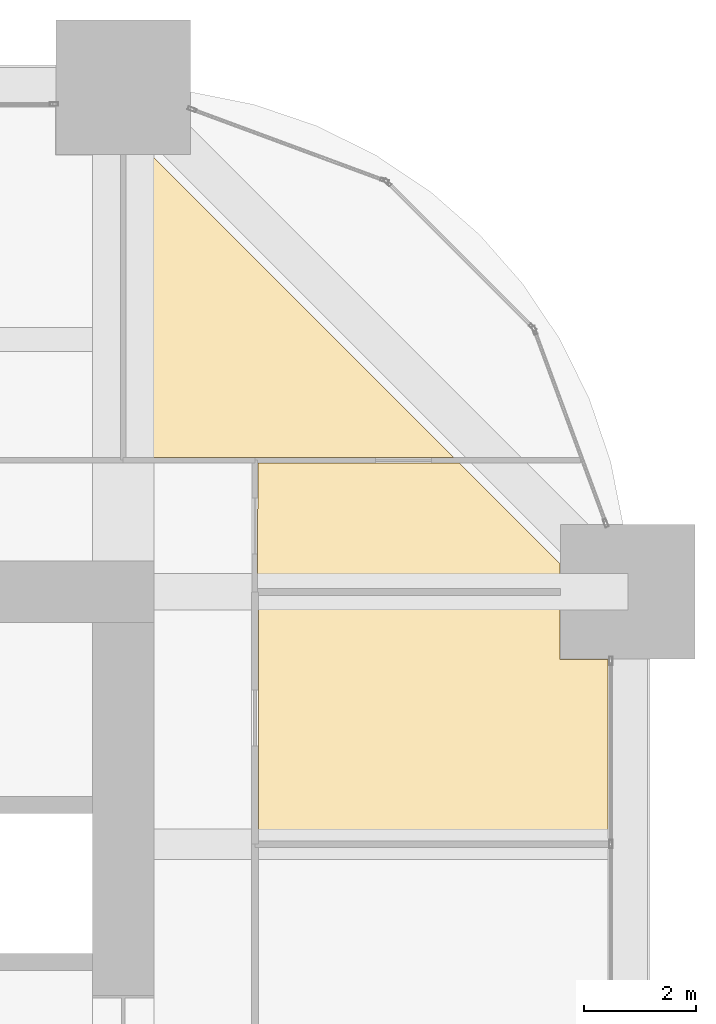
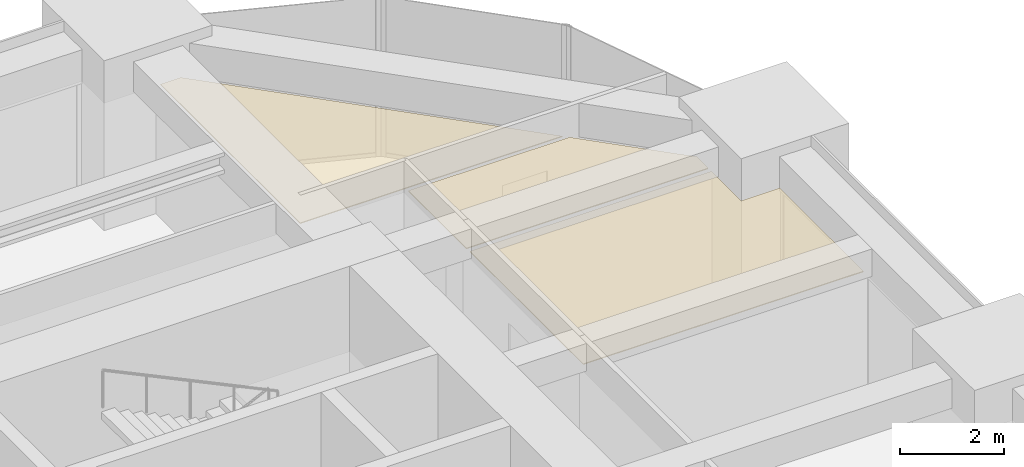
# One storey, part 34 of 34: 3 coverings.
"""IFC4 building model written with IfcOpenShell, lengths in metres."""

from ifc_helpers import new_model, si_unit, direction, frame, origin, place, context, subcontext, project, spatial, polyline, outline, extrude, material, layer, layer_set, type_object, element, save


model = new_model("IFC4")

# Units and contexts
model_context = context("Model", 3, precision=1e-05, world=origin(), true_north=direction((0.0, 1.0)))
body_context = subcontext(model_context, "Body", "Model", "MODEL_VIEW")
ifc_project = project(units=[si_unit("LENGTHUNIT", "METRE"), si_unit("AREAUNIT", "SQUARE_METRE"), si_unit("VOLUMEUNIT", "CUBIC_METRE"), si_unit("PLANEANGLEUNIT", "RADIAN"), si_unit("MASSUNIT", "GRAM", prefix="KILO")], contexts=[model_context])

# Site, building, storey
site_placement = place(None, origin())
site = spatial("IfcSite", under=ifc_project, at=site_placement, CompositionType="ELEMENT")
building_placement = place(site_placement, origin())
building = spatial("IfcBuilding", under=site, at=building_placement, Name="Zorevar Civic Tower", CompositionType="ELEMENT")
storey_placement = place(building_placement, frame((0.0, 0.0, 174.199951171875)))
storey = spatial("IfcBuildingStorey", under=building, at=storey_placement, Name="L42", CompositionType="ELEMENT", Elevation=174.199951171875)

# Coverings
ifc_material = material(Name="Mineral fibre tiles on a concealed grid")
ifc_layer = layer(ifc_material, 0.02001953125)
ifc_layer_set = layer_set([ifc_layer], Name="Suspended ceiling SC1")
covering_type = type_object("IfcCoveringType", Name="Suspended ceiling SC1", PredefinedType="CEILING", material=ifc_layer_set)
covering_1_placement = place(storey_placement, frame((0.0, 0.0, 3.0)))
element("IfcCovering", 1, at=covering_1_placement, inside=storey, type_object=covering_type, Name="Ceiling L42-22", PredefinedType="CEILING", context=body_context, shape_type="SweptSolid", body=[
    extrude(outline(polyline([(47.409912109375, 35.93994140625), (52.7900390625, 35.93994140625), (52.7900390625, 34.7900390625), (53.64990234375, 34.7900390625), (53.64990234375, 31.56005859375), (47.409912109375, 31.56005859375), (47.409912109375, 35.93994140625)])), origin(), (0.0, 0.0, 1.0), 0.02001953125),
])
covering_2_placement = place(storey_placement, frame((0.0, 0.0, 3.0)))
element("IfcCovering", 2, at=covering_2_placement, inside=storey, type_object=covering_type, Name="Ceiling L42-33", PredefinedType="CEILING", context=body_context, shape_type="SweptSolid", body=[
    extrude(outline(polyline([(45.050048828125, 38.39990234375), (45.050048828125, 43.7900390625), (45.5029296875, 43.7900390625), (50.892822265625, 38.39990234375), (45.050048828125, 38.39990234375)])), origin(), (0.0, 0.0, 1.0), 0.02001953125),
])
covering_3_placement = place(storey_placement, frame((0.0, 0.0, 3.0)))
element("IfcCovering", 3, at=covering_3_placement, inside=storey, type_object=covering_type, Name="Ceiling L42-36", PredefinedType="CEILING", context=body_context, shape_type="SweptSolid", body=[
    extrude(outline(polyline([(50.993896484375, 38.299072265625), (52.7900390625, 36.5029296875), (52.7900390625, 36.06005859375), (47.39990234375, 36.06005859375), (47.40087890625, 38.299072265625), (50.993896484375, 38.299072265625)])), origin(), (0.0, 0.0, 1.0), 0.02001953125),
])

save(model, "model.ifc")
